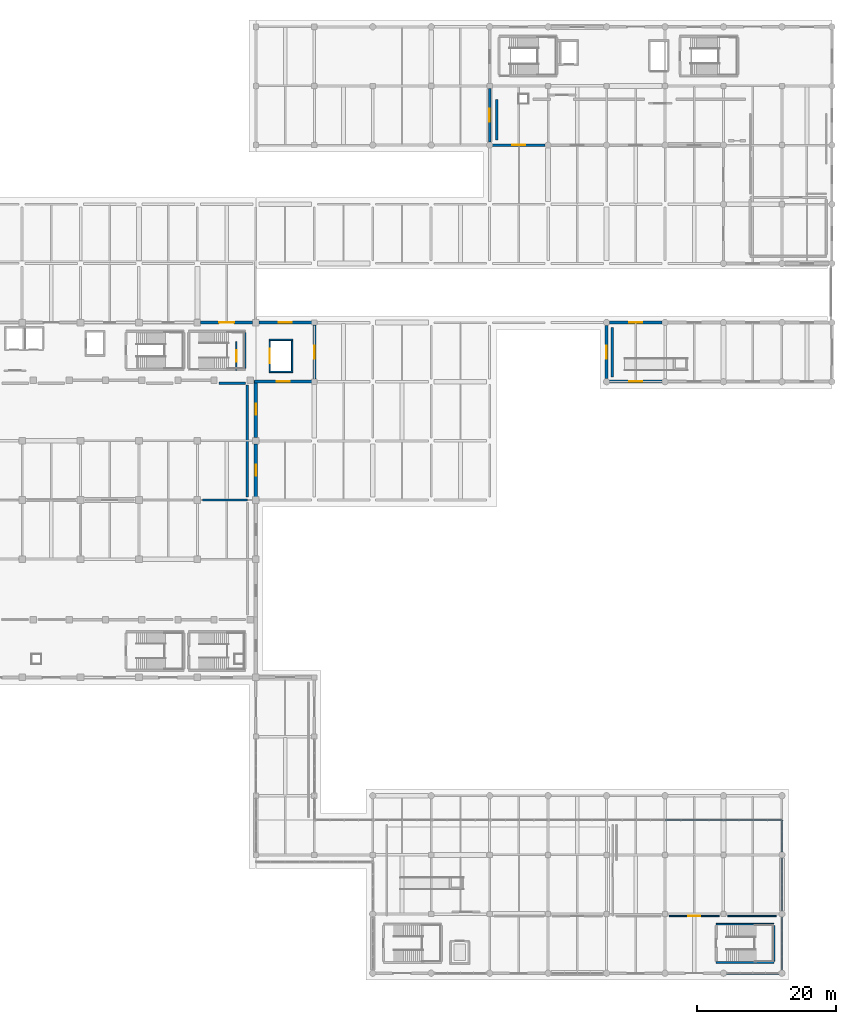
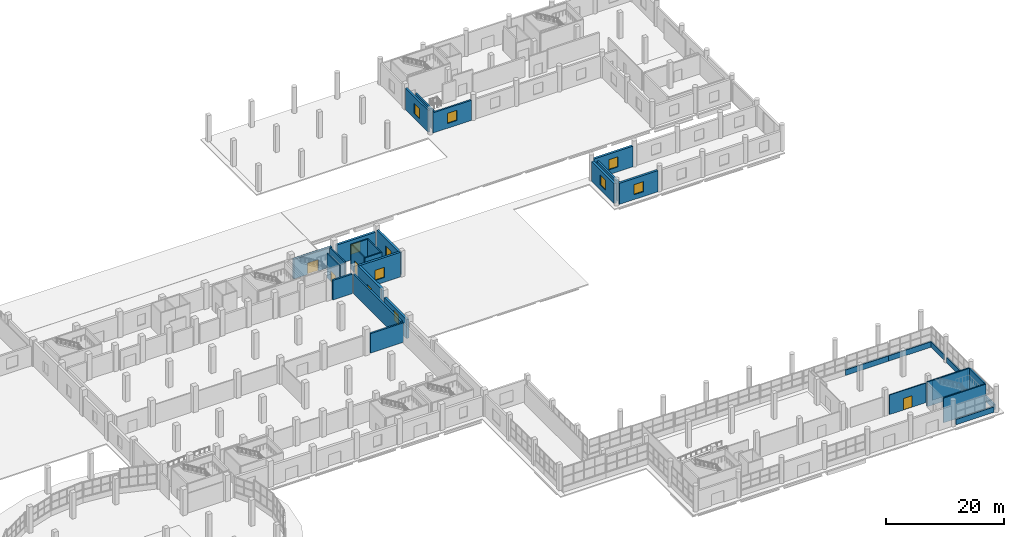
# One storey, part 93 of 107: 33 walls, 10 windows, 4 doors, 14 openings.
"""IFC4 building model written with IfcOpenShell, lengths in metres."""

from ifc_helpers import new_model, si_unit, direction, frame, frame_2d, origin, place, context, subcontext, project, spatial, rectangle, extrude, material, layer, layer_set, type_object, element, fill, save


model = new_model("IFC4")

# Units and contexts
model_context = context("Model", 3, precision=1e-05, world=origin(), true_north=direction((0.0, 1.0)))
body_context = subcontext(model_context, "Body", "Model", "MODEL_VIEW")
ifc_project = project(units=[si_unit("LENGTHUNIT", "METRE"), si_unit("AREAUNIT", "SQUARE_METRE"), si_unit("VOLUMEUNIT", "CUBIC_METRE"), si_unit("PLANEANGLEUNIT", "RADIAN"), si_unit("MASSUNIT", "GRAM", prefix="KILO")], contexts=[model_context])

# Site, building, storey
site_placement = place(None, origin())
site = spatial("IfcSite", under=ifc_project, at=site_placement, CompositionType="ELEMENT")
building_placement = place(site_placement, origin())
building = spatial("IfcBuilding", under=site, at=building_placement, Name="Solvento Point Concert Hall", CompositionType="ELEMENT")
storey_placement = place(building_placement, origin())
storey = spatial("IfcBuildingStorey", under=building, at=storey_placement, Name="L00", CompositionType="ELEMENT", Elevation=0.0)

# Wall
ifc_material_1 = material(Name="Acoustic Double-Stud Gypsum Partition")
ifc_layer_1 = layer(ifc_material_1, 0.179931640625)
ifc_layer_set_1 = layer_set([ifc_layer_1], Name="Acoustic Double-Stud Gypsum Partition")
wall_type_1 = type_object("IfcWallType", Name="AcousticPartition_180", PredefinedType="PARTITIONING", material=ifc_layer_set_1)
wall_1_placement = place(storey_placement, frame((207.97998046875, 8.219970703125, 0.0), z_axis=(0.0, 0.0, 1.0), x_axis=(-1.0, 0.0, 0.0)))
element("IfcWall", 1, at=wall_1_placement, inside=storey, type_object=wall_type_1, Name="Interior acoustic partition PW-63 L00", PredefinedType="PARTITIONING", context=body_context, shape_type="SweptSolid", body=[
    extrude(rectangle(XDim=6.955078125, YDim=0.179931640625, at=frame_2d((3.4775390625, 0.0))), origin(), (0.0, 0.0, 1.0), 4.0400390625),
])

# Wall, opening, door
wall_2_placement = place(storey_placement, frame((199.77490234375, 8.219970703125, 0.0), z_axis=(0.0, 0.0, 1.0), x_axis=(-1.0, 0.0, 0.0)))
wall_2 = element("IfcWall", 2, at=wall_2_placement, inside=storey, type_object=wall_type_1, Name="Interior acoustic partition PW-63 L00", PredefinedType="PARTITIONING", context=body_context, shape_type="SweptSolid", body=[
    extrude(rectangle(XDim=7.14990234375, YDim=0.179931640625, at=frame_2d((3.574951171875, 0.0))), origin(), (0.0, 0.0, 1.0), 4.0400390625),
])
opening_1_placement = place(wall_2_placement, frame((2.715087890625, 0.0, 0.0)))
opening_1 = element("IfcOpeningElement", 3, at=opening_1_placement, cuts=wall_2, Name="Opening DR-35", PredefinedType="OPENING", context=body_context, shape_type="SweptSolid", body=[
    extrude(rectangle(XDim=1.719970703125, YDim=2.360107421875, at=frame_2d((0.85986328125, 1.18017578125))), frame((0.0, 0.099853515625, 0.0), z_axis=(0.0, -1.0, 0.0), x_axis=(1.0, 0.0, 0.0)), (0.0, 0.0, 1.0), 0.199951171875),
])
ifc_material_2 = material(Name="Brazilian Hardwood Acoustic Door", Category="wood")
door_type_1 = type_object("IfcDoorType", Name="IntDoor_FoyerCafeRetail", OperationType="NOTDEFINED", PredefinedType="DOOR", material=ifc_material_2)
door_1_placement = place(opening_1_placement, origin())
door_1 = element("IfcDoor", 4, at=door_1_placement, inside=storey, type_object=door_type_1, Name="Interior door DR-35 L00", OperationType="SINGLE_SWING_LEFT", OverallHeight=2.360107421875, OverallWidth=1.719970703125, PredefinedType="DOOR", context=body_context, shape_type="SweptSolid", body=[
    extrude(rectangle(XDim=1.719970703125, YDim=2.360107421875, at=frame_2d((0.85986328125, 1.18017578125))), frame((0.0, 0.02490234375, 0.0), z_axis=(0.0, -1.0, 0.0), x_axis=(1.0, 0.0, 0.0)), (0.0, 0.0, 1.0), 0.050048828125),
])
fill(opening_1, door_1)

ifc_material_3 = material(Name="Acoustic Double-Stud Gypsum Partition")
ifc_layer_2 = layer(ifc_material_3, 0.2080078125)
ifc_layer_set_2 = layer_set([ifc_layer_2], Name="Acoustic Double-Stud Gypsum Partition")
wall_type_2 = type_object("IfcWallType", Name="AcousticPartition_208", PredefinedType="PARTITIONING", material=ifc_layer_set_2)
wall_3_placement = place(storey_placement, frame((130.39990234375, 90.800048828125, 0.0), z_axis=(0.0, 0.0, 1.0), x_axis=(0.0, -1.0, 0.0)))
wall_3 = element("IfcWall", 5, at=wall_3_placement, inside=storey, type_object=wall_type_2, Name="Lift lobby partition LG-01 L00", PredefinedType="PARTITIONING", context=body_context, shape_type="SweptSolid", body=[
    extrude(rectangle(XDim=4.199951171875, YDim=0.2080078125, at=frame_2d((2.10009765625, 0.0))), origin(), (0.0, 0.0, 1.0), 5.1201171875),
])
opening_2_placement = place(wall_3_placement, frame((1.27490234375, 0.0, 0.0)))
opening_2 = element("IfcOpeningElement", 6, at=opening_2_placement, cuts=wall_3, Name="Opening D-FL1", PredefinedType="OPENING", context=body_context, shape_type="SweptSolid", body=[
    extrude(rectangle(XDim=1.64990234375, YDim=2.199951171875, at=frame_2d((0.824951171875, 1.10009765625))), frame((0.0, 0.114013671875, 0.0), z_axis=(0.0, -1.0, 0.0), x_axis=(1.0, 0.0, 0.0)), (0.0, 0.0, 1.0), 0.22802734375),
])
ifc_material_4 = material(Name="Hollow Metal Acoustic Fire Door")
door_type_2 = type_object("IfcDoorType", Name="FireLobbyDoor_1600", OperationType="DOUBLE_DOOR_SINGLE_SWING", PredefinedType="DOOR", material=ifc_material_4)
door_2_placement = place(opening_2_placement, origin())
door_2 = element("IfcDoor", 7, at=door_2_placement, inside=storey, type_object=door_type_2, Name="Lift lobby door LG-01 L00", OperationType="DOUBLE_DOOR_SINGLE_SWING", OverallHeight=2.199951171875, OverallWidth=1.64990234375, PredefinedType="DOOR", context=body_context, shape_type="SweptSolid", body=[
    extrude(rectangle(XDim=1.64990234375, YDim=2.199951171875, at=frame_2d((0.824951171875, 1.10009765625))), frame((0.0, 0.02490234375, 0.0), z_axis=(0.0, -1.0, 0.0), x_axis=(1.0, 0.0, 0.0)), (0.0, 0.0, 1.0), 0.050048828125),
])
fill(opening_2, door_2)

# Walls
ifc_material_5 = material(Name="Acoustic Double-Stud Gypsum Partition")
ifc_layer_3 = layer(ifc_material_5, 0.31494140625)
ifc_layer_set_3 = layer_set([ifc_layer_3], Name="Acoustic Double-Stud Gypsum Partition")
wall_type_3 = type_object("IfcWallType", Name="AcousticPartition_315", PredefinedType="PARTITIONING", material=ifc_layer_set_3)
wall_4_placement = place(storey_placement, frame((125.52490234375, 67.97998046875, 0.0), z_axis=(0.0, 0.0, 1.0), x_axis=(1.0, 0.0, 0.0)))
element("IfcWall", 8, at=wall_4_placement, inside=storey, type_object=wall_type_3, Name="Interior acoustic partition PW-18 L00", PredefinedType="PARTITIONING", context=body_context, shape_type="SweptSolid", body=[
    extrude(rectangle(XDim=6.455078125, YDim=0.31494140625, at=frame_2d((3.2275390625, 0.0))), origin(), (0.0, 0.0, 1.0), 4.0400390625),
])
wall_5_placement = place(storey_placement, frame((167.820068359375, 119.699951171875, 0.0), z_axis=(0.0, 0.0, 1.0), x_axis=(0.0, 1.0, 0.0)))
element("IfcWall", 9, at=wall_5_placement, inside=storey, type_object=wall_type_3, Name="Interior acoustic partition PW-18 L00", PredefinedType="PARTITIONING", context=body_context, shape_type="SweptSolid", body=[
    extrude(rectangle(XDim=5.880126953125, YDim=0.31494140625, at=frame_2d((2.93994140625, 0.0))), origin(), (0.0, 0.0, 1.0), 4.0400390625),
])
ifc_material_6 = material(Name="Acoustic Double-Stud Gypsum Partition")
ifc_layer_4 = layer(ifc_material_6, 0.340087890625)
ifc_layer_set_4 = layer_set([ifc_layer_4], Name="Acoustic Double-Stud Gypsum Partition")
wall_type_4 = type_object("IfcWallType", Name="AcousticPartition_340", PredefinedType="PARTITIONING", material=ifc_layer_set_4)
wall_6_placement = place(storey_placement, frame((127.89990234375, 84.780029296875, 0.0), z_axis=(0.0, 0.0, 1.0), x_axis=(1.0, 0.0, 0.0)))
element("IfcWall", 10, at=wall_6_placement, inside=storey, type_object=wall_type_4, Name="Interior acoustic partition PW-24 L00", PredefinedType="PARTITIONING", context=body_context, shape_type="SweptSolid", body=[
    extrude(rectangle(XDim=3.800048828125, YDim=0.340087890625, at=frame_2d((1.89990234375, 0.0))), origin(), (0.0, 0.0, 1.0), 4.0400390625),
])
wall_7_placement = place(storey_placement, frame((131.97998046875, 84.5, 0.0), z_axis=(0.0, 0.0, 1.0), x_axis=(0.0, -1.0, 0.0)))
element("IfcWall", 11, at=wall_7_placement, inside=storey, type_object=wall_type_4, Name="Interior acoustic partition PW-24 L00", PredefinedType="PARTITIONING", context=body_context, shape_type="SweptSolid", body=[
    extrude(rectangle(XDim=16.080078125, YDim=0.340087890625, at=frame_2d((8.0400390625, 0.0))), origin(), (0.0, 0.0, 1.0), 4.0400390625),
])
wall_8_placement = place(storey_placement, frame((184.419921875, 85.699951171875, 0.0), z_axis=(0.0, 0.0, 1.0), x_axis=(0.0, 1.0, 0.0)))
element("IfcWall", 12, at=wall_8_placement, inside=storey, type_object=wall_type_4, Name="Interior acoustic partition PW-24 L00", PredefinedType="PARTITIONING", context=body_context, shape_type="SweptSolid", body=[
    extrude(rectangle(XDim=7.10009765625, YDim=0.340087890625, at=frame_2d((3.550048828125, 0.0))), origin(), (0.0, 0.0, 1.0), 4.0400390625),
])
ifc_material_7 = material(Name="Concrete C40/50", Category="concrete")
ifc_layer_5 = layer(ifc_material_7, 0.300048828125)
ifc_layer_set_5 = layer_set([ifc_layer_5], Name="Concrete C40/50")
wall_type_5 = type_object("IfcWallType", Name="CoreShearWall_300", PredefinedType="SHEAR", material=ifc_layer_set_5)
for number, where, z_axis, x_axis, name in (
    (13, (207.64990234375, 1.550048828125, 0.0), (0.0, 0.0, 1.0), (-1.0, 0.0, 0.0), "Stair core shear wall W-SH1 ST-09 L00"),
    (14, (199.35009765625, 7.050048828125, 0.0), (0.0, 0.0, 1.0), (1.0, 0.0, 0.0), "Stair core shear wall W-SH1 ST-09 L00"),
):
    element("IfcWall", number, at=place(storey_placement, frame(where, z_axis=z_axis, x_axis=x_axis)), inside=storey, type_object=wall_type_5, Name=name, PredefinedType="SHEAR", context=body_context, shape_type="SweptSolid", body=[
        extrude(rectangle(XDim=8.2998046875, YDim=0.25, at=frame_2d((4.14990234375, 0.0))), origin(), (0.0, 0.0, 1.0), 5.1201171875),
    ])
for number, where, z_axis, x_axis, name in (
    (15, (207.64990234375, 6.85009765625, 0.0), (0.0, 0.0, 1.0), (0.0, -1.0, 0.0), "Stair core shear wall W-SH1 ST-09 L00"),
    (16, (131.64990234375, 92.050048828125, 0.0), (0.0, 0.0, 1.0), (0.0, -1.0, 0.0), "Stair core shear wall W-SH1 VOM-04 L00"),
):
    element("IfcWall", number, at=place(storey_placement, frame(where, z_axis=z_axis, x_axis=x_axis)), inside=storey, type_object=wall_type_5, Name=name, PredefinedType="SHEAR", context=body_context, shape_type="SweptSolid", body=[
        extrude(rectangle(XDim=5.10009765625, YDim=0.25, at=frame_2d((2.550048828125, 0.0))), origin(), (0.0, 0.0, 1.0), 5.1201171875),
    ])
for number, where, z_axis, x_axis, name in (
    (17, (135.090087890625, 86.39990234375, 0.0), (0.0, 0.0, 1.0), (1.0, 0.0, 0.0), "Elevator shaft shear wall W-SH1 LG-01 L00"),
    (18, (135.090087890625, 91.0, 0.0), (0.0, 0.0, 1.0), (1.0, 0.0, 0.0), "Elevator shaft shear wall W-SH1 LG-01 L00"),
):
    element("IfcWall", number, at=place(storey_placement, frame(where, z_axis=z_axis, x_axis=x_axis)), inside=storey, type_object=wall_type_5, Name=name, PredefinedType="SHEAR", context=body_context, shape_type="SweptSolid", body=[
        extrude(rectangle(XDim=3.419921875, YDim=0.219970703125, at=frame_2d((1.7099609375, 0.0))), origin(), (0.0, 0.0, 1.0), 5.1201171875),
    ])

# Wall, opening, door
wall_9_placement = place(storey_placement, frame((135.199951171875, 86.510009765625, 0.0), z_axis=(0.0, 0.0, 1.0), x_axis=(0.0, 1.0, 0.0)))
wall_9 = element("IfcWall", 19, at=wall_9_placement, inside=storey, type_object=wall_type_5, Name="Elevator shaft shear wall W-SH1 LG-01 L00", PredefinedType="SHEAR", context=body_context, shape_type="SweptSolid", body=[
    extrude(rectangle(XDim=4.3798828125, YDim=0.219970703125, at=frame_2d((2.18994140625, 0.0))), origin(), (0.0, 0.0, 1.0), 5.1201171875),
])
opening_3_placement = place(wall_9_placement, frame((1.139892578125, 0.0, 0.0)))
opening_3 = element("IfcOpeningElement", 20, at=opening_3_placement, cuts=wall_9, Name="Opening LD-03", PredefinedType="OPENING", context=body_context, shape_type="SweptSolid", body=[
    extrude(rectangle(XDim=2.10009765625, YDim=2.449951171875, at=frame_2d((1.050048828125, 1.22509765625))), frame((0.0, 0.119873046875, 0.0), z_axis=(0.0, -1.0, 0.0), x_axis=(1.0, 0.0, 0.0)), (0.0, 0.0, 1.0), 0.239990234375),
])
ifc_material_8 = material(Name="Hollow Metal Acoustic Fire Door")
door_type_3 = type_object("IfcDoorType", Name="LiftLandingDoor_Goods", OperationType="DOUBLE_DOOR_SLIDING", PredefinedType="DOOR", material=ifc_material_8)
door_3_placement = place(opening_3_placement, origin())
door_3 = element("IfcDoor", 21, at=door_3_placement, inside=storey, type_object=door_type_3, Name="Elevator landing door LG-01 L00", OperationType="DOUBLE_DOOR_SLIDING", OverallHeight=2.449951171875, OverallWidth=2.10009765625, PredefinedType="DOOR", context=body_context, shape_type="SweptSolid", body=[
    extrude(rectangle(XDim=2.10009765625, YDim=2.449951171875, at=frame_2d((1.050048828125, 1.22509765625))), frame((0.0, 0.02490234375, 0.0), z_axis=(0.0, -1.0, 0.0), x_axis=(1.0, 0.0, 0.0)), (0.0, 0.0, 1.0), 0.050048828125),
])
fill(opening_3, door_3)

# Wall
wall_10_placement = place(storey_placement, frame((138.39990234375, 86.510009765625, 0.0), z_axis=(0.0, 0.0, 1.0), x_axis=(0.0, 1.0, 0.0)))
element("IfcWall", 22, at=wall_10_placement, inside=storey, type_object=wall_type_5, Name="Elevator shaft shear wall W-SH1 LG-01 L00", PredefinedType="SHEAR", context=body_context, shape_type="SweptSolid", body=[
    extrude(rectangle(XDim=4.3798828125, YDim=0.219970703125, at=frame_2d((2.18994140625, 0.0))), origin(), (0.0, 0.0, 1.0), 5.1201171875),
])

# Wall, opening, door
ifc_material_9 = material(Name="Concrete C40/50", Category="concrete")
ifc_layer_6 = layer(ifc_material_9, 0.47998046875)
ifc_layer_set_6 = layer_set([ifc_layer_6], Name="Concrete C40/50")
wall_type_6 = type_object("IfcWallType", Name="ExtWall_V1_Drum_480", PredefinedType="SOLIDWALL", material=ifc_layer_set_6)
wall_11_placement = place(storey_placement, frame((125.2548828125, 93.5, 0.0), z_axis=(0.0, 0.0, 1.0), x_axis=(1.0, 0.0, 0.0)))
wall_11 = element("IfcWall", 23, at=wall_11_placement, inside=storey, type_object=wall_type_6, Name="Exterior architectural concrete wall EW-46 L00", PredefinedType="SOLIDWALL", context=body_context, shape_type="SweptSolid", body=[
    extrude(rectangle(XDim=7.490234375, YDim=0.47998046875, at=frame_2d((3.7451171875, 0.0))), origin(), (0.0, 0.0, 1.0), 4.037109375),
])
opening_4_placement = place(wall_11_placement, frame((2.669921875, 0.0, 0.0)))
opening_4 = element("IfcOpeningElement", 24, at=opening_4_placement, cuts=wall_11, Name="Opening ED-04", PredefinedType="OPENING", context=body_context, shape_type="SweptSolid", body=[
    extrude(rectangle(XDim=2.14990234375, YDim=2.3798828125, at=frame_2d((1.074951171875, 1.18994140625))), frame((0.0, 0.25, 0.0), z_axis=(0.0, -1.0, 0.0), x_axis=(1.0, 0.0, 0.0)), (0.0, 0.0, 1.0), 0.5),
])
ifc_material_10 = material(Name="Anodized Bronze Aluminium", Category="aluminium")
door_type_4 = type_object("IfcDoorType", Name="PedestrianExitDoor_ED-04", OperationType="DOUBLE_DOOR_SINGLE_SWING", PredefinedType="DOOR", material=ifc_material_10)
door_4_placement = place(opening_4_placement, origin())
door_4 = element("IfcDoor", 25, at=door_4_placement, inside=storey, type_object=door_type_4, Name="Courtyard promenade pedestrian exit double door ED-04", OperationType="DOUBLE_DOOR_SINGLE_SWING", OverallHeight=2.3798828125, OverallWidth=2.14990234375, PredefinedType="DOOR", context=body_context, shape_type="SweptSolid", body=[
    extrude(rectangle(XDim=2.14990234375, YDim=2.3798828125, at=frame_2d((1.074951171875, 1.18994140625))), frame((0.0, 0.02490234375, 0.0), z_axis=(0.0, -1.0, 0.0), x_axis=(1.0, 0.0, 0.0)), (0.0, 0.0, 1.0), 0.050048828125),
])
fill(opening_4, door_4)

# Wall, opening, window
wall_12_placement = place(storey_placement, frame((133.199951171875, 76.044921875, 0.0), z_axis=(0.0, 0.0, 1.0), x_axis=(0.0, -1.0, 0.0)))
wall_12 = element("IfcWall", 26, at=wall_12_placement, inside=storey, type_object=wall_type_6, Name="Exterior architectural concrete wall EW-46 L00", PredefinedType="SOLIDWALL", context=body_context, shape_type="SweptSolid", body=[
    extrude(rectangle(XDim=7.58984375, YDim=0.47998046875, at=frame_2d((3.794921875, 0.0))), origin(), (0.0, 0.0, 1.0), 3.93798828125),
])
opening_5_placement = place(wall_12_placement, frame((2.9951171875, 0.0, 0.949951171875)))
opening_5 = element("IfcOpeningElement", 27, at=opening_5_placement, cuts=wall_12, Name="Opening WN-44", PredefinedType="OPENING", context=body_context, shape_type="SweptSolid", body=[
    extrude(rectangle(XDim=1.60009765625, YDim=2.199951171875, at=frame_2d((0.800048828125, 1.10009765625))), frame((0.0, 0.25, 0.0), z_axis=(0.0, -1.0, 0.0), x_axis=(1.0, 0.0, 0.0)), (0.0, 0.0, 1.0), 0.5),
])
ifc_material_11 = material(Name="Hurricane Laminated Low-E Glass", Category="glass")
window_type_1 = type_object("IfcWindowType", Name="Win_V1_GroundGallery", PartitioningType="SINGLE_PANEL", PredefinedType="WINDOW", material=ifc_material_11)
window_1_placement = place(opening_5_placement, origin())
window_1 = element("IfcWindow", 28, at=window_1_placement, inside=storey, type_object=window_type_1, Name="Impact acoustic window WN-44", OverallHeight=2.199951171875, OverallWidth=1.60009765625, PartitioningType="SINGLE_PANEL", PredefinedType="WINDOW", context=body_context, shape_type="SweptSolid", body=[
    extrude(rectangle(XDim=1.60009765625, YDim=2.199951171875, at=frame_2d((0.800048828125, 1.10009765625))), frame((0.0, 0.030029296875, 0.0), z_axis=(0.0, -1.0, 0.0), x_axis=(1.0, 0.0, 0.0)), (0.0, 0.0, 1.0), 0.06005859375),
])
fill(opening_5, window_1)

wall_13_placement = place(storey_placement, frame((133.199951171875, 85.159912109375, 0.0), z_axis=(0.0, 0.0, 1.0), x_axis=(0.0, -1.0, 0.0)))
wall_13 = element("IfcWall", 29, at=wall_13_placement, inside=storey, type_object=wall_type_6, Name="Exterior architectural concrete wall EW-46 L00", PredefinedType="SOLIDWALL", context=body_context, shape_type="SweptSolid", body=[
    extrude(rectangle(XDim=8.204833984375, YDim=0.47998046875, at=frame_2d((4.1025390625, 0.0))), origin(), (0.0, 0.0, 1.0), 5.1201171875),
])
opening_6_placement = place(wall_13_placement, frame((3.302490234375, 0.0, 0.949951171875)))
opening_6 = element("IfcOpeningElement", 30, at=opening_6_placement, cuts=wall_13, Name="Opening WN-44", PredefinedType="OPENING", context=body_context, shape_type="SweptSolid", body=[
    extrude(rectangle(XDim=1.60009765625, YDim=2.199951171875, at=frame_2d((0.800048828125, 1.10009765625))), frame((0.0, 0.25, 0.0), z_axis=(0.0, -1.0, 0.0), x_axis=(1.0, 0.0, 0.0)), (0.0, 0.0, 1.0), 0.5),
])
window_2_placement = place(opening_6_placement, origin())
window_2 = element("IfcWindow", 31, at=window_2_placement, inside=storey, type_object=window_type_1, Name="Impact acoustic window WN-44", OverallHeight=2.199951171875, OverallWidth=1.60009765625, PartitioningType="SINGLE_PANEL", PredefinedType="WINDOW", context=body_context, shape_type="SweptSolid", body=[
    extrude(rectangle(XDim=1.60009765625, YDim=2.199951171875, at=frame_2d((0.800048828125, 1.10009765625))), frame((0.0, 0.030029296875, 0.0), z_axis=(0.0, -1.0, 0.0), x_axis=(1.0, 0.0, 0.0)), (0.0, 0.0, 1.0), 0.06005859375),
])
fill(opening_6, window_2)

ifc_material_12 = material(Name="Concrete C35/45", Category="concrete")
ifc_layer_7 = layer(ifc_material_12, 0.429931640625)
ifc_layer_set_7 = layer_set([ifc_layer_7], Name="Concrete C35/45")
wall_type_7 = type_object("IfcWallType", Name="ExtWall_V5_Dock_430", PredefinedType="SOLIDWALL", material=ifc_layer_set_7)
wall_14_placement = place(storey_placement, frame((184.030029296875, 93.5, 0.0), z_axis=(0.0, 0.0, 1.0), x_axis=(1.0, 0.0, 0.0)))
wall_14 = element("IfcWall", 32, at=wall_14_placement, inside=storey, type_object=wall_type_7, Name="Exterior architectural concrete wall EW-11 L00", PredefinedType="SOLIDWALL", context=body_context, shape_type="SweptSolid", body=[
    extrude(rectangle(XDim=7.5400390625, YDim=0.429931640625, at=frame_2d((3.77001953125, 0.0))), origin(), (0.0, 0.0, 1.0), 4.264892578125),
])
opening_7_placement = place(wall_14_placement, frame((2.844970703125, 0.0, 1.0)))
opening_7 = element("IfcOpeningElement", 33, at=opening_7_placement, cuts=wall_14, Name="Opening WN-36", PredefinedType="OPENING", context=body_context, shape_type="SweptSolid", body=[
    extrude(rectangle(XDim=1.85009765625, YDim=2.10009765625, at=frame_2d((0.925048828125, 1.050048828125))), frame((0.0, 0.224853515625, 0.0), z_axis=(0.0, -1.0, 0.0), x_axis=(1.0, 0.0, 0.0)), (0.0, 0.0, 1.0), 0.449951171875),
])
ifc_material_13 = material(Name="Hurricane Laminated Low-E Glass", Category="glass")
window_type_2 = type_object("IfcWindowType", Name="Win_V5_Workshop_L00", PartitioningType="SINGLE_PANEL", PredefinedType="WINDOW", material=ifc_material_13)
window_3_placement = place(opening_7_placement, origin())
window_3 = element("IfcWindow", 34, at=window_3_placement, inside=storey, type_object=window_type_2, Name="Impact acoustic window WN-36", OverallHeight=2.10009765625, OverallWidth=1.85009765625, PartitioningType="SINGLE_PANEL", PredefinedType="WINDOW", context=body_context, shape_type="SweptSolid", body=[
    extrude(rectangle(XDim=1.85009765625, YDim=2.10009765625, at=frame_2d((0.925048828125, 1.050048828125))), frame((0.0, 0.030029296875, 0.0), z_axis=(0.0, -1.0, 0.0), x_axis=(1.0, 0.0, 0.0)), (0.0, 0.0, 1.0), 0.06005859375),
])
fill(opening_7, window_3)

wall_15_placement = place(storey_placement, frame((191.570068359375, 85.0, 0.0), z_axis=(0.0, 0.0, 1.0), x_axis=(-1.0, 0.0, 0.0)))
wall_15 = element("IfcWall", 35, at=wall_15_placement, inside=storey, type_object=wall_type_7, Name="Exterior architectural concrete wall EW-11 L00", PredefinedType="SOLIDWALL", context=body_context, shape_type="SweptSolid", body=[
    extrude(rectangle(XDim=7.5400390625, YDim=0.429931640625, at=frame_2d((3.77001953125, 0.0))), origin(), (0.0, 0.0, 1.0), 4.35400390625),
])
opening_8_placement = place(wall_15_placement, frame((2.844970703125, 0.0, 1.0)))
opening_8 = element("IfcOpeningElement", 36, at=opening_8_placement, cuts=wall_15, Name="Opening WN-36", PredefinedType="OPENING", context=body_context, shape_type="SweptSolid", body=[
    extrude(rectangle(XDim=1.85009765625, YDim=2.10009765625, at=frame_2d((0.925048828125, 1.050048828125))), frame((0.0, 0.224853515625, 0.0), z_axis=(0.0, -1.0, 0.0), x_axis=(1.0, 0.0, 0.0)), (0.0, 0.0, 1.0), 0.449951171875),
])
window_4_placement = place(opening_8_placement, origin())
window_4 = element("IfcWindow", 37, at=window_4_placement, inside=storey, type_object=window_type_2, Name="Impact acoustic window WN-36", OverallHeight=2.10009765625, OverallWidth=1.85009765625, PartitioningType="SINGLE_PANEL", PredefinedType="WINDOW", context=body_context, shape_type="SweptSolid", body=[
    extrude(rectangle(XDim=1.85009765625, YDim=2.10009765625, at=frame_2d((0.925048828125, 1.050048828125))), frame((0.0, 0.030029296875, 0.0), z_axis=(0.0, -1.0, 0.0), x_axis=(1.0, 0.0, 0.0)), (0.0, 0.0, 1.0), 0.06005859375),
])
fill(opening_8, window_4)

wall_16_placement = place(storey_placement, frame((183.60009765625, 85.429931640625, 0.0), z_axis=(0.0, 0.0, 1.0), x_axis=(0.0, 1.0, 0.0)))
wall_16 = element("IfcWall", 38, at=wall_16_placement, inside=storey, type_object=wall_type_7, Name="Exterior architectural concrete wall EW-11 L00", PredefinedType="SOLIDWALL", context=body_context, shape_type="SweptSolid", body=[
    extrude(rectangle(XDim=7.64013671875, YDim=0.429931640625, at=frame_2d((3.820068359375, 0.0))), origin(), (0.0, 0.0, 1.0), 4.097900390625),
])
opening_9_placement = place(wall_16_placement, frame((2.89501953125, 0.0, 1.0)))
opening_9 = element("IfcOpeningElement", 39, at=opening_9_placement, cuts=wall_16, Name="Opening WN-36", PredefinedType="OPENING", context=body_context, shape_type="SweptSolid", body=[
    extrude(rectangle(XDim=1.85009765625, YDim=2.10009765625, at=frame_2d((0.925048828125, 1.050048828125))), frame((0.0, 0.224853515625, 0.0), z_axis=(0.0, -1.0, 0.0), x_axis=(1.0, 0.0, 0.0)), (0.0, 0.0, 1.0), 0.449951171875),
])
window_5_placement = place(opening_9_placement, origin())
window_5 = element("IfcWindow", 40, at=window_5_placement, inside=storey, type_object=window_type_2, Name="Impact acoustic window WN-36", OverallHeight=2.10009765625, OverallWidth=1.85009765625, PartitioningType="SINGLE_PANEL", PredefinedType="WINDOW", context=body_context, shape_type="SweptSolid", body=[
    extrude(rectangle(XDim=1.85009765625, YDim=2.10009765625, at=frame_2d((0.925048828125, 1.050048828125))), frame((0.0, 0.030029296875, 0.0), z_axis=(0.0, -1.0, 0.0), x_axis=(1.0, 0.0, 0.0)), (0.0, 0.0, 1.0), 0.06005859375),
])
fill(opening_9, window_5)

wall_17_placement = place(storey_placement, frame((133.655029296875, 93.5, 0.0), z_axis=(0.0, 0.0, 1.0), x_axis=(1.0, 0.0, 0.0)))
wall_17 = element("IfcWall", 41, at=wall_17_placement, inside=storey, type_object=wall_type_7, Name="Exterior architectural concrete wall EW-11 L00", PredefinedType="SOLIDWALL", context=body_context, shape_type="SweptSolid", body=[
    extrude(rectangle(XDim=7.590087890625, YDim=0.429931640625, at=frame_2d((3.794921875, 0.0))), origin(), (0.0, 0.0, 1.0), 4.077880859375),
])
opening_10_placement = place(wall_17_placement, frame((2.8701171875, 0.0, 1.0)))
opening_10 = element("IfcOpeningElement", 42, at=opening_10_placement, cuts=wall_17, Name="Opening WN-36", PredefinedType="OPENING", context=body_context, shape_type="SweptSolid", body=[
    extrude(rectangle(XDim=1.85009765625, YDim=2.10009765625, at=frame_2d((0.925048828125, 1.050048828125))), frame((0.0, 0.224853515625, 0.0), z_axis=(0.0, -1.0, 0.0), x_axis=(1.0, 0.0, 0.0)), (0.0, 0.0, 1.0), 0.449951171875),
])
window_6_placement = place(opening_10_placement, origin())
window_6 = element("IfcWindow", 43, at=window_6_placement, inside=storey, type_object=window_type_2, Name="Impact acoustic window WN-36", OverallHeight=2.10009765625, OverallWidth=1.85009765625, PartitioningType="SINGLE_PANEL", PredefinedType="WINDOW", context=body_context, shape_type="SweptSolid", body=[
    extrude(rectangle(XDim=1.85009765625, YDim=2.10009765625, at=frame_2d((0.925048828125, 1.050048828125))), frame((0.0, 0.030029296875, 0.0), z_axis=(0.0, -1.0, 0.0), x_axis=(1.0, 0.0, 0.0)), (0.0, 0.0, 1.0), 0.06005859375),
])
fill(opening_10, window_6)

wall_18_placement = place(storey_placement, frame((141.60009765625, 93.14501953125, 0.0), z_axis=(0.0, 0.0, 1.0), x_axis=(0.0, -1.0, 0.0)))
wall_18 = element("IfcWall", 44, at=wall_18_placement, inside=storey, type_object=wall_type_7, Name="Exterior architectural concrete wall EW-11 L00", PredefinedType="SOLIDWALL", context=body_context, shape_type="SweptSolid", body=[
    extrude(rectangle(XDim=7.7900390625, YDim=0.429931640625, at=frame_2d((3.89501953125, 0.0))), origin(), (0.0, 0.0, 1.0), 4.554931640625),
])
opening_11_placement = place(wall_18_placement, frame((2.969970703125, 0.0, 1.0)))
opening_11 = element("IfcOpeningElement", 45, at=opening_11_placement, cuts=wall_18, Name="Opening WN-36", PredefinedType="OPENING", context=body_context, shape_type="SweptSolid", body=[
    extrude(rectangle(XDim=1.85009765625, YDim=2.10009765625, at=frame_2d((0.925048828125, 1.050048828125))), frame((0.0, 0.224853515625, 0.0), z_axis=(0.0, -1.0, 0.0), x_axis=(1.0, 0.0, 0.0)), (0.0, 0.0, 1.0), 0.449951171875),
])
window_7_placement = place(opening_11_placement, origin())
window_7 = element("IfcWindow", 46, at=window_7_placement, inside=storey, type_object=window_type_2, Name="Impact acoustic window WN-36", OverallHeight=2.10009765625, OverallWidth=1.85009765625, PartitioningType="SINGLE_PANEL", PredefinedType="WINDOW", context=body_context, shape_type="SweptSolid", body=[
    extrude(rectangle(XDim=1.85009765625, YDim=2.10009765625, at=frame_2d((0.925048828125, 1.050048828125))), frame((0.0, 0.030029296875, 0.0), z_axis=(0.0, -1.0, 0.0), x_axis=(1.0, 0.0, 0.0)), (0.0, 0.0, 1.0), 0.06005859375),
])
fill(opening_11, window_7)

wall_19_placement = place(storey_placement, frame((141.2451171875, 85.0, 0.0), z_axis=(0.0, 0.0, 1.0), x_axis=(-1.0, 0.0, 0.0)))
wall_19 = element("IfcWall", 47, at=wall_19_placement, inside=storey, type_object=wall_type_7, Name="Exterior architectural concrete wall EW-11 L00", PredefinedType="SOLIDWALL", context=body_context, shape_type="SweptSolid", body=[
    extrude(rectangle(XDim=8.205078125, YDim=0.429931640625, at=frame_2d((4.1025390625, 0.0))), origin(), (0.0, 0.0, 1.0), 5.1201171875),
])
opening_12_placement = place(wall_19_placement, frame((3.177490234375, 0.0, 1.0)))
opening_12 = element("IfcOpeningElement", 48, at=opening_12_placement, cuts=wall_19, Name="Opening WN-36", PredefinedType="OPENING", context=body_context, shape_type="SweptSolid", body=[
    extrude(rectangle(XDim=1.85009765625, YDim=2.10009765625, at=frame_2d((0.925048828125, 1.050048828125))), frame((0.0, 0.224853515625, 0.0), z_axis=(0.0, -1.0, 0.0), x_axis=(1.0, 0.0, 0.0)), (0.0, 0.0, 1.0), 0.449951171875),
])
window_8_placement = place(opening_12_placement, origin())
window_8 = element("IfcWindow", 49, at=window_8_placement, inside=storey, type_object=window_type_2, Name="Impact acoustic window WN-36", OverallHeight=2.10009765625, OverallWidth=1.85009765625, PartitioningType="SINGLE_PANEL", PredefinedType="WINDOW", context=body_context, shape_type="SweptSolid", body=[
    extrude(rectangle(XDim=1.85009765625, YDim=2.10009765625, at=frame_2d((0.925048828125, 1.050048828125))), frame((0.0, 0.030029296875, 0.0), z_axis=(0.0, -1.0, 0.0), x_axis=(1.0, 0.0, 0.0)), (0.0, 0.0, 1.0), 0.06005859375),
])
fill(opening_12, window_8)

ifc_material_14 = material(Name="Concrete C35/45", Category="concrete")
ifc_layer_8 = layer(ifc_material_14, 0.330078125)
ifc_layer_set_8 = layer_set([ifc_layer_8], Name="Concrete C35/45")
wall_type_8 = type_object("IfcWallType", Name="ExtWall_V5_Plinth_330", PredefinedType="SOLIDWALL", material=ifc_layer_set_8)
wall_20_placement = place(storey_placement, frame((166.800048828125, 119.429931640625, 0.0), z_axis=(0.0, 0.0, 1.0), x_axis=(0.0, 1.0, 0.0)))
wall_20 = element("IfcWall", 50, at=wall_20_placement, inside=storey, type_object=wall_type_8, Name="Exterior architectural concrete wall EW-72 L00", PredefinedType="SOLIDWALL", context=body_context, shape_type="SweptSolid", body=[
    extrude(rectangle(XDim=7.715087890625, YDim=0.330078125, at=frame_2d((3.857421875, 0.0))), origin(), (0.0, 0.0, 1.0), 4.49609375),
])
opening_13_placement = place(wall_20_placement, frame((2.9326171875, 0.0, 1.0)))
opening_13 = element("IfcOpeningElement", 51, at=opening_13_placement, cuts=wall_20, Name="Opening WN-36", PredefinedType="OPENING", context=body_context, shape_type="SweptSolid", body=[
    extrude(rectangle(XDim=1.85009765625, YDim=2.10009765625, at=frame_2d((0.925048828125, 1.050048828125))), frame((0.0, 0.175048828125, 0.0), z_axis=(0.0, -1.0, 0.0), x_axis=(1.0, 0.0, 0.0)), (0.0, 0.0, 1.0), 0.35009765625),
])
window_9_placement = place(opening_13_placement, origin())
window_9 = element("IfcWindow", 52, at=window_9_placement, inside=storey, type_object=window_type_2, Name="Impact acoustic window WN-36", OverallHeight=2.10009765625, OverallWidth=1.85009765625, PartitioningType="SINGLE_PANEL", PredefinedType="WINDOW", context=body_context, shape_type="SweptSolid", body=[
    extrude(rectangle(XDim=1.85009765625, YDim=2.10009765625, at=frame_2d((0.925048828125, 1.050048828125))), frame((0.0, 0.030029296875, 0.0), z_axis=(0.0, -1.0, 0.0), x_axis=(1.0, 0.0, 0.0)), (0.0, 0.0, 1.0), 0.06005859375),
])
fill(opening_13, window_9)

wall_21_placement = place(storey_placement, frame((174.77001953125, 119.0, 0.0), z_axis=(0.0, 0.0, 1.0), x_axis=(-1.0, 0.0, 0.0)))
wall_21 = element("IfcWall", 53, at=wall_21_placement, inside=storey, type_object=wall_type_8, Name="Exterior architectural concrete wall EW-72 L00", PredefinedType="SOLIDWALL", context=body_context, shape_type="SweptSolid", body=[
    extrude(rectangle(XDim=7.5400390625, YDim=0.330078125, at=frame_2d((3.77001953125, 0.0))), origin(), (0.0, 0.0, 1.0), 4.177001953125),
])
opening_14_placement = place(wall_21_placement, frame((2.844970703125, 0.0, 1.0)))
opening_14 = element("IfcOpeningElement", 54, at=opening_14_placement, cuts=wall_21, Name="Opening WN-36", PredefinedType="OPENING", context=body_context, shape_type="SweptSolid", body=[
    extrude(rectangle(XDim=1.85009765625, YDim=2.10009765625, at=frame_2d((0.925048828125, 1.050048828125))), frame((0.0, 0.175048828125, 0.0), z_axis=(0.0, -1.0, 0.0), x_axis=(1.0, 0.0, 0.0)), (0.0, 0.0, 1.0), 0.35009765625),
])
window_10_placement = place(opening_14_placement, origin())
window_10 = element("IfcWindow", 55, at=window_10_placement, inside=storey, type_object=window_type_2, Name="Impact acoustic window WN-36", OverallHeight=2.10009765625, OverallWidth=1.85009765625, PartitioningType="SINGLE_PANEL", PredefinedType="WINDOW", context=body_context, shape_type="SweptSolid", body=[
    extrude(rectangle(XDim=1.85009765625, YDim=2.10009765625, at=frame_2d((0.925048828125, 1.050048828125))), frame((0.0, 0.030029296875, 0.0), z_axis=(0.0, -1.0, 0.0), x_axis=(1.0, 0.0, 0.0)), (0.0, 0.0, 1.0), 0.06005859375),
])
fill(opening_14, window_10)

# Walls
ifc_material_15 = material(Name="Concrete C40/50", Category="concrete")
ifc_layer_9 = layer(ifc_material_15, 0.260009765625)
ifc_layer_set_9 = layer_set([ifc_layer_9], Name="Concrete C40/50")
wall_type_9 = type_object("IfcWallType", Name="Parapet_Ring_260", PredefinedType="PARAPET", material=ifc_layer_set_9)
wall_22_placement = place(storey_placement, frame((192.0, 22.0, 0.0), z_axis=(0.0, 0.0, 1.0), x_axis=(1.0, 0.0, 0.0)))
element("IfcWall", 56, at=wall_22_placement, inside=storey, type_object=wall_type_9, Name="Sliding elliptical white concrete ring spandrel PR-01 L00", PredefinedType="PARAPET", context=body_context, shape_type="SweptSolid", body=[
    extrude(rectangle(XDim=8.39990234375, YDim=0.260009765625, at=frame_2d((4.199951171875, 0.0))), origin(), (0.0, 0.0, 1.0), 1.1201171875),
])
wall_23_placement = place(storey_placement, frame((200.39990234375, 22.0, 0.0), z_axis=(0.0, 0.0, 1.0), x_axis=(1.0, 0.0, 0.0)))
element("IfcWall", 57, at=wall_23_placement, inside=storey, type_object=wall_type_9, Name="Sliding elliptical white concrete ring spandrel PR-01 L00", PredefinedType="PARAPET", context=body_context, shape_type="SweptSolid", body=[
    extrude(rectangle(XDim=8.400146484375, YDim=0.260009765625, at=frame_2d((4.2001953125, 0.0))), origin(), (0.0, 0.0, 1.0), 1.1201171875),
])
for number, where, z_axis, x_axis, name in (
    (58, (208.800048828125, 8.030029296875, 0.0), (0.0, 0.0, 1.0), (0.0, -1.0, 0.0), "Sliding elliptical white concrete ring spandrel PR-01 L00"),
    (59, (208.800048828125, 16.530029296875, 0.0), (0.0, 0.0, 1.0), (0.0, -1.0, 0.0), "Sliding elliptical white concrete ring spandrel PR-01 L00"),
):
    element("IfcWall", number, at=place(storey_placement, frame(where, z_axis=z_axis, x_axis=x_axis)), inside=storey, type_object=wall_type_9, Name=name, PredefinedType="PARAPET", context=body_context, shape_type="SweptSolid", body=[
        extrude(rectangle(XDim=7.56005859375, YDim=0.260009765625, at=frame_2d((3.780029296875, 0.0))), origin(), (0.0, 0.0, 1.0), 1.1201171875),
    ])
wall_24_placement = place(storey_placement, frame((208.800048828125, 22.0, 0.0), z_axis=(0.0, 0.0, 1.0), x_axis=(0.0, -1.0, 0.0)))
element("IfcWall", 60, at=wall_24_placement, inside=storey, type_object=wall_type_9, Name="Sliding elliptical white concrete ring spandrel PR-01 L00", PredefinedType="PARAPET", context=body_context, shape_type="SweptSolid", body=[
    extrude(rectangle(XDim=4.530029296875, YDim=0.260009765625, at=frame_2d((2.26513671875, 0.0))), origin(), (0.0, 0.0, 1.0), 1.1201171875),
])
wall_25_placement = place(storey_placement, frame((208.330078125, 0.0, 0.0), z_axis=(0.0, 0.0, 1.0), x_axis=(-1.0, 0.0, 0.0)))
element("IfcWall", 61, at=wall_25_placement, inside=storey, type_object=wall_type_9, Name="Sliding elliptical white concrete ring spandrel PR-01 L00", PredefinedType="PARAPET", context=body_context, shape_type="SweptSolid", body=[
    extrude(rectangle(XDim=7.4599609375, YDim=0.260009765625, at=frame_2d((3.72998046875, 0.0))), origin(), (0.0, 0.0, 1.0), 1.1201171875),
])

save(model, "model.ifc")
